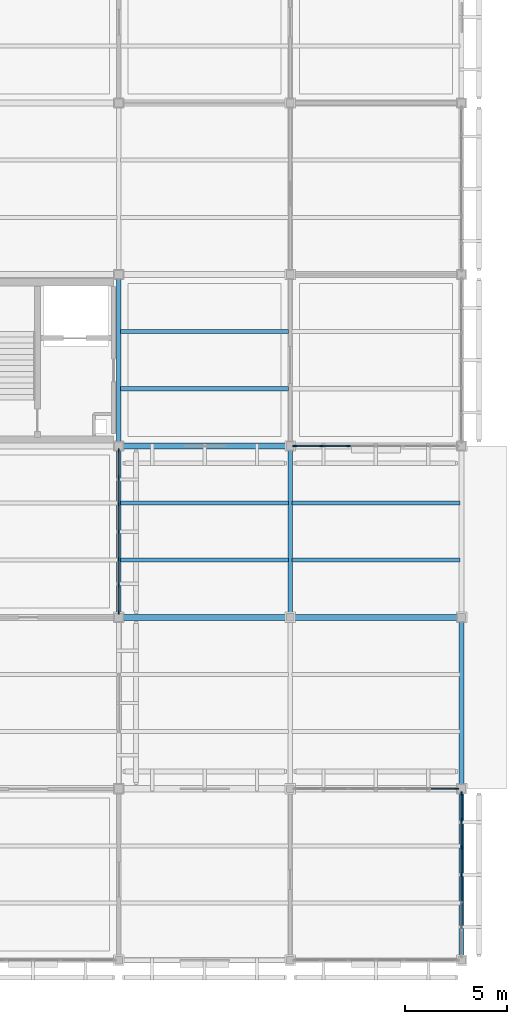
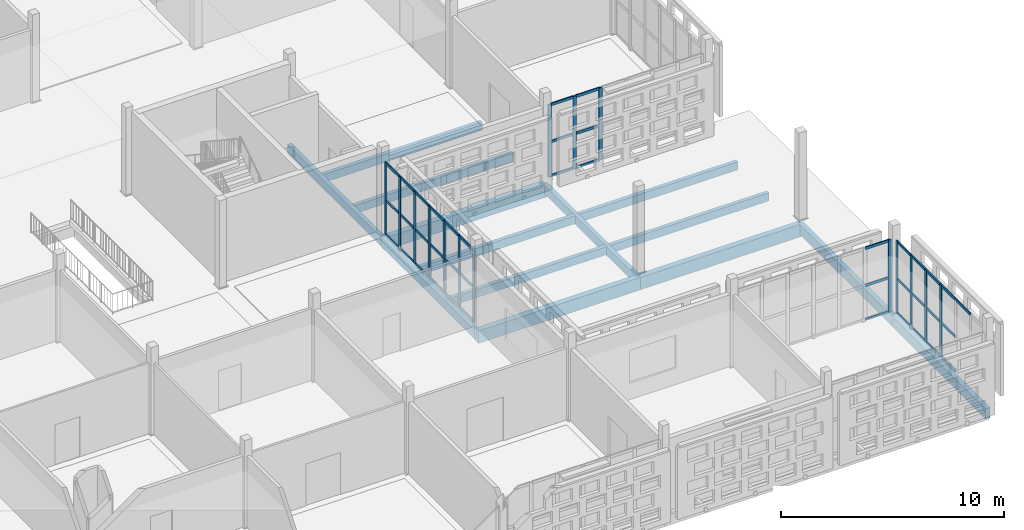
# One storey, part 69 of 203: 55 members, 14 beams, 4 elements without a shape of their own.
"""IFC4 building model written with IfcOpenShell, lengths in metres."""

from ifc_helpers import new_model, si_unit, direction, frame, origin, origin_2d, place, context, subcontext, project, spatial, rectangle, extrude, material, layer, layer_set, material_profile, profile_set, type_object, element, aggregate, save


model = new_model("IFC4")

# Units and contexts
model_context = context("Model", 3, precision=1e-05, world=origin(), true_north=direction((0.0, 1.0)))
body_context = subcontext(model_context, "Body", "Model", "MODEL_VIEW")
ifc_project = project(units=[si_unit("LENGTHUNIT", "METRE"), si_unit("AREAUNIT", "SQUARE_METRE"), si_unit("VOLUMEUNIT", "CUBIC_METRE"), si_unit("PLANEANGLEUNIT", "RADIAN"), si_unit("MASSUNIT", "GRAM", prefix="KILO")], contexts=[model_context])

# Site, building, storey
site_placement = place(None, origin())
site = spatial("IfcSite", under=ifc_project, at=site_placement, CompositionType="ELEMENT")
building_placement = place(site_placement, origin())
building = spatial("IfcBuilding", under=site, at=building_placement, Name="Varnapada Polytechnic", CompositionType="ELEMENT")
storey_placement = place(building_placement, frame((0.0, 0.0, 4.800048828125)))
storey = spatial("IfcBuildingStorey", under=building, at=storey_placement, Name="L01", CompositionType="ELEMENT", Elevation=4.800048828125)

# Beams
ifc_material_1 = material(Name="Glulam GL32h", Category="wood")
ifc_material_profile_1 = material_profile(ifc_material_1, rectangle(XDim=0.199951171875, YDim=0.43994140625, at=origin_2d()), Name="GL 200x440")
ifc_profile_set_1 = profile_set([ifc_material_profile_1], Name="Glulam GL32h")
beam_type_1 = type_object("IfcBeamType", Name="Heavy laboratory glulam joist GJ-03 (GL 200x440)", PredefinedType="JOIST", material=ifc_profile_set_1)
for number, where, z_axis, x_axis, name in (
    (1, (159.679931640625, 19.60009765625, -0.489990234375), (1.0, 0.0, 0.0), (0.0, 1.0, 0.0), "L01 floor joist 20/3.1"),
    (2, (159.679931640625, 22.39990234375, -0.489990234375), (1.0, 0.0, 0.0), (0.0, 1.0, 0.0), "L01 floor joist 20/3.2"),
    (3, (159.679931640625, 28.0, -0.469970703125), (1.0, 0.0, 0.0), (0.0, 1.0, 0.0), "L01 floor joist 20/4.1"),
    (4, (159.679931640625, 30.800048828125, -0.469970703125), (1.0, 0.0, 0.0), (0.0, 1.0, 0.0), "L01 floor joist 20/4.2"),
    (5, (168.080078125, 19.60009765625, -0.489990234375), (1.0, 0.0, 0.0), (0.0, 1.0, 0.0), "L01 floor joist 21/3.1"),
    (6, (168.080078125, 22.39990234375, -0.489990234375), (1.0, 0.0, 0.0), (0.0, 1.0, 0.0), "L01 floor joist 21/3.2"),
):
    element("IfcBeam", number, at=place(storey_placement, frame(where, z_axis=z_axis, x_axis=x_axis)), inside=storey, type_object=beam_type_1, Name=name, PredefinedType="JOIST", context=body_context, shape_type="SweptSolid", body=[
        extrude(rectangle(XDim=0.199951171875, YDim=0.43994140625, at=origin_2d()), origin(), (0.0, 0.0, 1.0), 8.239990234375),
    ])

# Curtain wall, members
ifc_material_2 = material(Name="Double low-E laminated glass", Category="glass")
ifc_layer = layer(ifc_material_2, 0.179931640625)
ifc_layer_set = layer_set([ifc_layer], Name="Double low-E laminated glass")
curtain_wall_type = type_object("IfcCurtainWallType", Name="Curtain Wall CW-04", PredefinedType="NOTDEFINED", material=ifc_layer_set)
curtain_wall_1_placement = place(storey_placement, origin())
curtain_wall_1 = element("IfcCurtainWall", 7, at=curtain_wall_1_placement, inside=storey, type_object=curtain_wall_type, Name="L01 unitised curtain wall CW-04 (110)", PredefinedType="NOTDEFINED")
ifc_material_3 = material(Name="Anodised aluminium", Category="aluminium")
ifc_material_profile_2 = material_profile(ifc_material_3, rectangle(XDim=0.06494140625, YDim=0.179931640625, at=origin_2d()), Name="ALU M65x180")
ifc_profile_set_2 = profile_set([ifc_material_profile_2], Name="Anodised aluminium")
member_type_1 = type_object("IfcMemberType", Name="Mullion M-02", PredefinedType="MULLION", material=ifc_profile_set_2)
member_1_placement = place(storey_placement, frame((159.60009765625, 24.967529296875, 0.0), z_axis=(0.0, 0.0, 1.0), x_axis=(1.0, 0.0, 0.0)))
member_1 = element("IfcMember", 8, at=member_1_placement, type_object=member_type_1, Name="CW-04 mullion 1", PredefinedType="MULLION", context=body_context, shape_type="SweptSolid", body=[
    extrude(rectangle(XDim=0.06494140625, YDim=0.179931640625, at=origin_2d()), origin(), (0.0, 0.0, 1.0), 3.9599609375),
])
member_2_placement = place(storey_placement, frame((159.60009765625, 23.666748046875, 0.0), z_axis=(0.0, 0.0, 1.0), x_axis=(1.0, 0.0, 0.0)))
member_2 = element("IfcMember", 9, at=member_2_placement, type_object=member_type_1, Name="CW-04 mullion 2", PredefinedType="MULLION", context=body_context, shape_type="SweptSolid", body=[
    extrude(rectangle(XDim=0.06494140625, YDim=0.179931640625, at=origin_2d()), origin(), (0.0, 0.0, 1.0), 3.9599609375),
])
member_3_placement = place(storey_placement, frame((159.60009765625, 22.333251953125, 0.0), z_axis=(0.0, 0.0, 1.0), x_axis=(1.0, 0.0, 0.0)))
member_3 = element("IfcMember", 10, at=member_3_placement, type_object=member_type_1, Name="CW-04 mullion 3", PredefinedType="MULLION", context=body_context, shape_type="SweptSolid", body=[
    extrude(rectangle(XDim=0.06494140625, YDim=0.179931640625, at=origin_2d()), origin(), (0.0, 0.0, 1.0), 3.9599609375),
])
member_4_placement = place(storey_placement, frame((159.60009765625, 21.0, 0.0), z_axis=(0.0, 0.0, 1.0), x_axis=(1.0, 0.0, 0.0)))
member_4 = element("IfcMember", 11, at=member_4_placement, type_object=member_type_1, Name="CW-04 mullion 4", PredefinedType="MULLION", context=body_context, shape_type="SweptSolid", body=[
    extrude(rectangle(XDim=0.06494140625, YDim=0.179931640625, at=origin_2d()), origin(), (0.0, 0.0, 1.0), 3.9599609375),
])
member_5_placement = place(storey_placement, frame((159.60009765625, 19.666748046875, 0.0), z_axis=(0.0, 0.0, 1.0), x_axis=(1.0, 0.0, 0.0)))
member_5 = element("IfcMember", 12, at=member_5_placement, type_object=member_type_1, Name="CW-04 mullion 5", PredefinedType="MULLION", context=body_context, shape_type="SweptSolid", body=[
    extrude(rectangle(XDim=0.06494140625, YDim=0.179931640625, at=origin_2d()), origin(), (0.0, 0.0, 1.0), 3.9599609375),
])
member_6_placement = place(storey_placement, frame((159.60009765625, 18.333251953125, 0.0), z_axis=(0.0, 0.0, 1.0), x_axis=(1.0, 0.0, 0.0)))
member_6 = element("IfcMember", 13, at=member_6_placement, type_object=member_type_1, Name="CW-04 mullion 6", PredefinedType="MULLION", context=body_context, shape_type="SweptSolid", body=[
    extrude(rectangle(XDim=0.06494140625, YDim=0.179931640625, at=origin_2d()), origin(), (0.0, 0.0, 1.0), 3.9599609375),
])
member_7_placement = place(storey_placement, frame((159.60009765625, 17.032470703125, 0.0), z_axis=(0.0, 0.0, 1.0), x_axis=(1.0, 0.0, 0.0)))
member_7 = element("IfcMember", 14, at=member_7_placement, type_object=member_type_1, Name="CW-04 mullion 7", PredefinedType="MULLION", context=body_context, shape_type="SweptSolid", body=[
    extrude(rectangle(XDim=0.06494140625, YDim=0.179931640625, at=origin_2d()), origin(), (0.0, 0.0, 1.0), 3.9599609375),
])

# Curtain wall, member
curtain_wall_2_placement = place(storey_placement, origin())
curtain_wall_2 = element("IfcCurtainWall", 15, at=curtain_wall_2_placement, inside=storey, type_object=curtain_wall_type, Name="L01 unitised curtain wall CW-04 (116)", PredefinedType="NOTDEFINED")
member_8_placement = place(storey_placement, frame((176.16748046875, 8.39990234375, 0.0), z_axis=(0.0, 0.0, 1.0), x_axis=(0.0, 1.0, 0.0)))
member_8 = element("IfcMember", 16, at=member_8_placement, type_object=member_type_1, Name="CW-04 mullion 7", PredefinedType="MULLION", context=body_context, shape_type="SweptSolid", body=[
    extrude(rectangle(XDim=0.06494140625, YDim=0.179931640625, at=origin_2d()), origin(), (0.0, 0.0, 1.0), 3.9599609375),
])

# Curtain wall, members
curtain_wall_3_placement = place(storey_placement, origin())
curtain_wall_3 = element("IfcCurtainWall", 17, at=curtain_wall_3_placement, inside=storey, type_object=curtain_wall_type, Name="L01 unitised curtain wall CW-04 (117)", PredefinedType="NOTDEFINED")
member_9_placement = place(storey_placement, frame((176.39990234375, 8.16748046875, 0.0), z_axis=(0.0, 0.0, 1.0), x_axis=(1.0, 0.0, 0.0)))
member_9 = element("IfcMember", 18, at=member_9_placement, type_object=member_type_1, Name="CW-04 mullion 1", PredefinedType="MULLION", context=body_context, shape_type="SweptSolid", body=[
    extrude(rectangle(XDim=0.06494140625, YDim=0.179931640625, at=origin_2d()), origin(), (0.0, 0.0, 1.0), 3.9599609375),
])
member_10_placement = place(storey_placement, frame((176.39990234375, 6.86328125, 0.0), z_axis=(0.0, 0.0, 1.0), x_axis=(1.0, 0.0, 0.0)))
member_10 = element("IfcMember", 19, at=member_10_placement, type_object=member_type_1, Name="CW-04 mullion 2", PredefinedType="MULLION", context=body_context, shape_type="SweptSolid", body=[
    extrude(rectangle(XDim=0.06494140625, YDim=0.179931640625, at=origin_2d()), origin(), (0.0, 0.0, 1.0), 3.9599609375),
])
member_11_placement = place(storey_placement, frame((176.39990234375, 5.526611328125, 0.0), z_axis=(0.0, 0.0, 1.0), x_axis=(1.0, 0.0, 0.0)))
member_11 = element("IfcMember", 20, at=member_11_placement, type_object=member_type_1, Name="CW-04 mullion 3", PredefinedType="MULLION", context=body_context, shape_type="SweptSolid", body=[
    extrude(rectangle(XDim=0.06494140625, YDim=0.179931640625, at=origin_2d()), origin(), (0.0, 0.0, 1.0), 3.9599609375),
])
member_12_placement = place(storey_placement, frame((176.39990234375, 4.18994140625, 0.0), z_axis=(0.0, 0.0, 1.0), x_axis=(1.0, 0.0, 0.0)))
member_12 = element("IfcMember", 21, at=member_12_placement, type_object=member_type_1, Name="CW-04 mullion 4", PredefinedType="MULLION", context=body_context, shape_type="SweptSolid", body=[
    extrude(rectangle(XDim=0.06494140625, YDim=0.179931640625, at=origin_2d()), origin(), (0.0, 0.0, 1.0), 3.9599609375),
])

curtain_wall_4_placement = place(storey_placement, origin())
curtain_wall_4 = element("IfcCurtainWall", 22, at=curtain_wall_4_placement, inside=storey, type_object=curtain_wall_type, Name="L01 unitised curtain wall CW-04 (118)", PredefinedType="NOTDEFINED")
member_13_placement = place(storey_placement, frame((170.860107421875, 25.199951171875, 0.0), z_axis=(0.0, 0.0, 1.0), x_axis=(0.0, -1.0, 0.0)))
member_13 = element("IfcMember", 23, at=member_13_placement, type_object=member_type_1, Name="CW-04 mullion 5", PredefinedType="MULLION", context=body_context, shape_type="SweptSolid", body=[
    extrude(rectangle(XDim=0.06494140625, YDim=0.179931640625, at=origin_2d()), origin(), (0.0, 0.0, 1.0), 3.9599609375),
])
member_14_placement = place(storey_placement, frame((169.52490234375, 25.199951171875, 0.0), z_axis=(0.0, 0.0, 1.0), x_axis=(0.0, -1.0, 0.0)))
member_14 = element("IfcMember", 24, at=member_14_placement, type_object=member_type_1, Name="CW-04 mullion 6", PredefinedType="MULLION", context=body_context, shape_type="SweptSolid", body=[
    extrude(rectangle(XDim=0.06494140625, YDim=0.179931640625, at=origin_2d()), origin(), (0.0, 0.0, 1.0), 3.9599609375),
])
member_15_placement = place(storey_placement, frame((168.222412109375, 25.199951171875, 0.0), z_axis=(0.0, 0.0, 1.0), x_axis=(0.0, -1.0, 0.0)))
member_15 = element("IfcMember", 25, at=member_15_placement, type_object=member_type_1, Name="CW-04 mullion 7", PredefinedType="MULLION", context=body_context, shape_type="SweptSolid", body=[
    extrude(rectangle(XDim=0.06494140625, YDim=0.179931640625, at=origin_2d()), origin(), (0.0, 0.0, 1.0), 3.9599609375),
])

# Beams
ifc_material_profile_3 = material_profile(ifc_material_1, rectangle(XDim=0.239990234375, YDim=0.56005859375, at=origin_2d()), Name="GL 240x560")
ifc_profile_set_3 = profile_set([ifc_material_profile_3], Name="Glulam GL32h")
beam_type_2 = type_object("IfcBeamType", Name="Perimeter glulam spandrel beam SP-02 (GL 240x560)", PredefinedType="SPANDREL", material=ifc_profile_set_3)
beam_1_placement = place(storey_placement, frame((176.39990234375, 0.0, -0.550048828125), z_axis=(0.0, 1.0, 0.0), x_axis=(-1.0, 0.0, 0.0)))
element("IfcBeam", 26, at=beam_1_placement, inside=storey, type_object=beam_type_2, Name="L01 beam Y 1-2 at X22", PredefinedType="SPANDREL", context=body_context, shape_type="SweptSolid", body=[
    extrude(rectangle(XDim=0.239990234375, YDim=0.56005859375, at=origin_2d()), origin(), (0.0, 0.0, 1.0), 8.39990234375),
])
beam_2_placement = place(storey_placement, frame((176.39990234375, 8.39990234375, -0.550048828125), z_axis=(0.0, 1.0, 0.0), x_axis=(-1.0, 0.0, 0.0)))
element("IfcBeam", 27, at=beam_2_placement, inside=storey, type_object=beam_type_2, Name="L01 beam Y 2-3 at X22", PredefinedType="SPANDREL", context=body_context, shape_type="SweptSolid", body=[
    extrude(rectangle(XDim=0.239990234375, YDim=0.56005859375, at=origin_2d()), origin(), (0.0, 0.0, 1.0), 8.400146484375),
])

# Member
ifc_material_profile_4 = material_profile(ifc_material_3, rectangle(XDim=0.06494140625, YDim=0.139892578125, at=origin_2d()), Name="ALU T65x140")
ifc_profile_set_4 = profile_set([ifc_material_profile_4], Name="Anodised aluminium")
member_type_2 = type_object("IfcMemberType", Name="Transom T-02", PredefinedType="USERDEFINED", material=ifc_profile_set_4)
member_16_placement = place(storey_placement, frame((159.60009765625, 24.93505859375, 0.032470703125), z_axis=(0.0, -1.0, 0.0), x_axis=(1.0, 0.0, 0.0)))
member_16 = element("IfcMember", 28, at=member_16_placement, type_object=member_type_2, Name="CW-04 transom 1.1", ObjectType="TRANSOM", PredefinedType="USERDEFINED", context=body_context, shape_type="SweptSolid", body=[
    extrude(rectangle(XDim=0.06494140625, YDim=0.139892578125, at=origin_2d()), origin(), (0.0, 0.0, 1.0), 1.23583984375),
])

member_17_placement = place(storey_placement, frame((159.60009765625, 24.93505859375, 1.900634765625), z_axis=(0.0, -1.0, 0.0), x_axis=(1.0, 0.0, 0.0)))
member_17 = element("IfcMember", 29, at=member_17_placement, type_object=member_type_2, Name="CW-04 transom 1.2", ObjectType="TRANSOM", PredefinedType="USERDEFINED", context=body_context, shape_type="SweptSolid", body=[
    extrude(rectangle(XDim=0.06494140625, YDim=0.139892578125, at=origin_2d()), origin(), (0.0, 0.0, 1.0), 1.23583984375),
])

member_18_placement = place(storey_placement, frame((159.60009765625, 24.93505859375, 3.927490234375), z_axis=(0.0, -1.0, 0.0), x_axis=(1.0, 0.0, 0.0)))
member_18 = element("IfcMember", 30, at=member_18_placement, type_object=member_type_2, Name="CW-04 transom 1.3", ObjectType="TRANSOM", PredefinedType="USERDEFINED", context=body_context, shape_type="SweptSolid", body=[
    extrude(rectangle(XDim=0.06494140625, YDim=0.139892578125, at=origin_2d()), origin(), (0.0, 0.0, 1.0), 1.23583984375),
])

member_19_placement = place(storey_placement, frame((159.60009765625, 23.63427734375, 0.032470703125), z_axis=(0.0, -1.0, 0.0), x_axis=(1.0, 0.0, 0.0)))
member_19 = element("IfcMember", 31, at=member_19_placement, type_object=member_type_2, Name="CW-04 transom 2.1", ObjectType="TRANSOM", PredefinedType="USERDEFINED", context=body_context, shape_type="SweptSolid", body=[
    extrude(rectangle(XDim=0.06494140625, YDim=0.139892578125, at=origin_2d()), origin(), (0.0, 0.0, 1.0), 1.2685546875),
])

member_20_placement = place(storey_placement, frame((159.60009765625, 23.63427734375, 1.900634765625), z_axis=(0.0, -1.0, 0.0), x_axis=(1.0, 0.0, 0.0)))
member_20 = element("IfcMember", 32, at=member_20_placement, type_object=member_type_2, Name="CW-04 transom 2.2", ObjectType="TRANSOM", PredefinedType="USERDEFINED", context=body_context, shape_type="SweptSolid", body=[
    extrude(rectangle(XDim=0.06494140625, YDim=0.139892578125, at=origin_2d()), origin(), (0.0, 0.0, 1.0), 1.2685546875),
])

member_21_placement = place(storey_placement, frame((159.60009765625, 23.63427734375, 3.927490234375), z_axis=(0.0, -1.0, 0.0), x_axis=(1.0, 0.0, 0.0)))
member_21 = element("IfcMember", 33, at=member_21_placement, type_object=member_type_2, Name="CW-04 transom 2.3", ObjectType="TRANSOM", PredefinedType="USERDEFINED", context=body_context, shape_type="SweptSolid", body=[
    extrude(rectangle(XDim=0.06494140625, YDim=0.139892578125, at=origin_2d()), origin(), (0.0, 0.0, 1.0), 1.2685546875),
])

member_22_placement = place(storey_placement, frame((159.60009765625, 22.30078125, 0.032470703125), z_axis=(0.0, -1.0, 0.0), x_axis=(1.0, 0.0, 0.0)))
member_22 = element("IfcMember", 34, at=member_22_placement, type_object=member_type_2, Name="CW-04 transom 3.1", ObjectType="TRANSOM", PredefinedType="USERDEFINED", context=body_context, shape_type="SweptSolid", body=[
    extrude(rectangle(XDim=0.06494140625, YDim=0.139892578125, at=origin_2d()), origin(), (0.0, 0.0, 1.0), 1.268310546875),
])

member_23_placement = place(storey_placement, frame((159.60009765625, 22.30078125, 1.900634765625), z_axis=(0.0, -1.0, 0.0), x_axis=(1.0, 0.0, 0.0)))
member_23 = element("IfcMember", 35, at=member_23_placement, type_object=member_type_2, Name="CW-04 transom 3.2", ObjectType="TRANSOM", PredefinedType="USERDEFINED", context=body_context, shape_type="SweptSolid", body=[
    extrude(rectangle(XDim=0.06494140625, YDim=0.139892578125, at=origin_2d()), origin(), (0.0, 0.0, 1.0), 1.268310546875),
])

member_24_placement = place(storey_placement, frame((159.60009765625, 22.30078125, 3.927490234375), z_axis=(0.0, -1.0, 0.0), x_axis=(1.0, 0.0, 0.0)))
member_24 = element("IfcMember", 36, at=member_24_placement, type_object=member_type_2, Name="CW-04 transom 3.3", ObjectType="TRANSOM", PredefinedType="USERDEFINED", context=body_context, shape_type="SweptSolid", body=[
    extrude(rectangle(XDim=0.06494140625, YDim=0.139892578125, at=origin_2d()), origin(), (0.0, 0.0, 1.0), 1.268310546875),
])

member_25_placement = place(storey_placement, frame((159.60009765625, 20.967529296875, 0.032470703125), z_axis=(0.0, -1.0, 0.0), x_axis=(1.0, 0.0, 0.0)))
member_25 = element("IfcMember", 37, at=member_25_placement, type_object=member_type_2, Name="CW-04 transom 4.1", ObjectType="TRANSOM", PredefinedType="USERDEFINED", context=body_context, shape_type="SweptSolid", body=[
    extrude(rectangle(XDim=0.06494140625, YDim=0.139892578125, at=origin_2d()), origin(), (0.0, 0.0, 1.0), 1.268310546875),
])

member_26_placement = place(storey_placement, frame((159.60009765625, 20.967529296875, 1.900634765625), z_axis=(0.0, -1.0, 0.0), x_axis=(1.0, 0.0, 0.0)))
member_26 = element("IfcMember", 38, at=member_26_placement, type_object=member_type_2, Name="CW-04 transom 4.2", ObjectType="TRANSOM", PredefinedType="USERDEFINED", context=body_context, shape_type="SweptSolid", body=[
    extrude(rectangle(XDim=0.06494140625, YDim=0.139892578125, at=origin_2d()), origin(), (0.0, 0.0, 1.0), 1.268310546875),
])

member_27_placement = place(storey_placement, frame((159.60009765625, 20.967529296875, 3.927490234375), z_axis=(0.0, -1.0, 0.0), x_axis=(1.0, 0.0, 0.0)))
member_27 = element("IfcMember", 39, at=member_27_placement, type_object=member_type_2, Name="CW-04 transom 4.3", ObjectType="TRANSOM", PredefinedType="USERDEFINED", context=body_context, shape_type="SweptSolid", body=[
    extrude(rectangle(XDim=0.06494140625, YDim=0.139892578125, at=origin_2d()), origin(), (0.0, 0.0, 1.0), 1.268310546875),
])

member_28_placement = place(storey_placement, frame((159.60009765625, 19.63427734375, 0.032470703125), z_axis=(0.0, -1.0, 0.0), x_axis=(1.0, 0.0, 0.0)))
member_28 = element("IfcMember", 40, at=member_28_placement, type_object=member_type_2, Name="CW-04 transom 5.1", ObjectType="TRANSOM", PredefinedType="USERDEFINED", context=body_context, shape_type="SweptSolid", body=[
    extrude(rectangle(XDim=0.06494140625, YDim=0.139892578125, at=origin_2d()), origin(), (0.0, 0.0, 1.0), 1.2685546875),
])

member_29_placement = place(storey_placement, frame((159.60009765625, 19.63427734375, 1.900634765625), z_axis=(0.0, -1.0, 0.0), x_axis=(1.0, 0.0, 0.0)))
member_29 = element("IfcMember", 41, at=member_29_placement, type_object=member_type_2, Name="CW-04 transom 5.2", ObjectType="TRANSOM", PredefinedType="USERDEFINED", context=body_context, shape_type="SweptSolid", body=[
    extrude(rectangle(XDim=0.06494140625, YDim=0.139892578125, at=origin_2d()), origin(), (0.0, 0.0, 1.0), 1.2685546875),
])

member_30_placement = place(storey_placement, frame((159.60009765625, 19.63427734375, 3.927490234375), z_axis=(0.0, -1.0, 0.0), x_axis=(1.0, 0.0, 0.0)))
member_30 = element("IfcMember", 42, at=member_30_placement, type_object=member_type_2, Name="CW-04 transom 5.3", ObjectType="TRANSOM", PredefinedType="USERDEFINED", context=body_context, shape_type="SweptSolid", body=[
    extrude(rectangle(XDim=0.06494140625, YDim=0.139892578125, at=origin_2d()), origin(), (0.0, 0.0, 1.0), 1.2685546875),
])

member_31_placement = place(storey_placement, frame((159.60009765625, 18.30078125, 0.032470703125), z_axis=(0.0, -1.0, 0.0), x_axis=(1.0, 0.0, 0.0)))
member_31 = element("IfcMember", 43, at=member_31_placement, type_object=member_type_2, Name="CW-04 transom 6.1", ObjectType="TRANSOM", PredefinedType="USERDEFINED", context=body_context, shape_type="SweptSolid", body=[
    extrude(rectangle(XDim=0.06494140625, YDim=0.139892578125, at=origin_2d()), origin(), (0.0, 0.0, 1.0), 1.23583984375),
])

member_32_placement = place(storey_placement, frame((159.60009765625, 18.30078125, 1.900634765625), z_axis=(0.0, -1.0, 0.0), x_axis=(1.0, 0.0, 0.0)))
member_32 = element("IfcMember", 44, at=member_32_placement, type_object=member_type_2, Name="CW-04 transom 6.2", ObjectType="TRANSOM", PredefinedType="USERDEFINED", context=body_context, shape_type="SweptSolid", body=[
    extrude(rectangle(XDim=0.06494140625, YDim=0.139892578125, at=origin_2d()), origin(), (0.0, 0.0, 1.0), 1.23583984375),
])

member_33_placement = place(storey_placement, frame((159.60009765625, 18.30078125, 3.927490234375), z_axis=(0.0, -1.0, 0.0), x_axis=(1.0, 0.0, 0.0)))
member_33 = element("IfcMember", 45, at=member_33_placement, type_object=member_type_2, Name="CW-04 transom 6.3", ObjectType="TRANSOM", PredefinedType="USERDEFINED", context=body_context, shape_type="SweptSolid", body=[
    extrude(rectangle(XDim=0.06494140625, YDim=0.139892578125, at=origin_2d()), origin(), (0.0, 0.0, 1.0), 1.23583984375),
])

aggregate(curtain_wall_1, [member_1, member_2, member_3, member_4, member_5, member_6, member_7, member_16, member_17, member_18, member_19, member_20, member_21, member_22, member_23, member_24, member_25, member_26, member_27, member_28, member_29, member_30, member_31, member_32, member_33])

member_34_placement = place(storey_placement, frame((174.8974609375, 8.39990234375, 0.032470703125), z_axis=(1.0, 0.0, 0.0), x_axis=(0.0, 1.0, 0.0)))
member_34 = element("IfcMember", 46, at=member_34_placement, type_object=member_type_2, Name="CW-04 transom 6.1", ObjectType="TRANSOM", PredefinedType="USERDEFINED", context=body_context, shape_type="SweptSolid", body=[
    extrude(rectangle(XDim=0.06494140625, YDim=0.139892578125, at=origin_2d()), origin(), (0.0, 0.0, 1.0), 1.237548828125),
])

member_35_placement = place(storey_placement, frame((174.8974609375, 8.39990234375, 1.900634765625), z_axis=(1.0, 0.0, 0.0), x_axis=(0.0, 1.0, 0.0)))
member_35 = element("IfcMember", 47, at=member_35_placement, type_object=member_type_2, Name="CW-04 transom 6.2", ObjectType="TRANSOM", PredefinedType="USERDEFINED", context=body_context, shape_type="SweptSolid", body=[
    extrude(rectangle(XDim=0.06494140625, YDim=0.139892578125, at=origin_2d()), origin(), (0.0, 0.0, 1.0), 1.237548828125),
])

member_36_placement = place(storey_placement, frame((174.8974609375, 8.39990234375, 3.927490234375), z_axis=(1.0, 0.0, 0.0), x_axis=(0.0, 1.0, 0.0)))
member_36 = element("IfcMember", 48, at=member_36_placement, type_object=member_type_2, Name="CW-04 transom 6.3", ObjectType="TRANSOM", PredefinedType="USERDEFINED", context=body_context, shape_type="SweptSolid", body=[
    extrude(rectangle(XDim=0.06494140625, YDim=0.139892578125, at=origin_2d()), origin(), (0.0, 0.0, 1.0), 1.237548828125),
])

aggregate(curtain_wall_2, [member_8, member_34, member_35, member_36])

member_37_placement = place(storey_placement, frame((176.39990234375, 8.135009765625, 0.032470703125), z_axis=(0.0, -1.0, 0.0), x_axis=(1.0, 0.0, 0.0)))
member_37 = element("IfcMember", 49, at=member_37_placement, type_object=member_type_2, Name="CW-04 transom 1.1", ObjectType="TRANSOM", PredefinedType="USERDEFINED", context=body_context, shape_type="SweptSolid", body=[
    extrude(rectangle(XDim=0.06494140625, YDim=0.139892578125, at=origin_2d()), origin(), (0.0, 0.0, 1.0), 1.2392578125),
])

member_38_placement = place(storey_placement, frame((176.39990234375, 8.135009765625, 1.900634765625), z_axis=(0.0, -1.0, 0.0), x_axis=(1.0, 0.0, 0.0)))
member_38 = element("IfcMember", 50, at=member_38_placement, type_object=member_type_2, Name="CW-04 transom 1.2", ObjectType="TRANSOM", PredefinedType="USERDEFINED", context=body_context, shape_type="SweptSolid", body=[
    extrude(rectangle(XDim=0.06494140625, YDim=0.139892578125, at=origin_2d()), origin(), (0.0, 0.0, 1.0), 1.2392578125),
])

member_39_placement = place(storey_placement, frame((176.39990234375, 8.135009765625, 3.927490234375), z_axis=(0.0, -1.0, 0.0), x_axis=(1.0, 0.0, 0.0)))
member_39 = element("IfcMember", 51, at=member_39_placement, type_object=member_type_2, Name="CW-04 transom 1.3", ObjectType="TRANSOM", PredefinedType="USERDEFINED", context=body_context, shape_type="SweptSolid", body=[
    extrude(rectangle(XDim=0.06494140625, YDim=0.139892578125, at=origin_2d()), origin(), (0.0, 0.0, 1.0), 1.2392578125),
])

member_40_placement = place(storey_placement, frame((176.39990234375, 6.830810546875, 0.032470703125), z_axis=(0.0, -1.0, 0.0), x_axis=(1.0, 0.0, 0.0)))
member_40 = element("IfcMember", 52, at=member_40_placement, type_object=member_type_2, Name="CW-04 transom 2.1", ObjectType="TRANSOM", PredefinedType="USERDEFINED", context=body_context, shape_type="SweptSolid", body=[
    extrude(rectangle(XDim=0.06494140625, YDim=0.139892578125, at=origin_2d()), origin(), (0.0, 0.0, 1.0), 1.271728515625),
])

member_41_placement = place(storey_placement, frame((176.39990234375, 6.830810546875, 1.900634765625), z_axis=(0.0, -1.0, 0.0), x_axis=(1.0, 0.0, 0.0)))
member_41 = element("IfcMember", 53, at=member_41_placement, type_object=member_type_2, Name="CW-04 transom 2.2", ObjectType="TRANSOM", PredefinedType="USERDEFINED", context=body_context, shape_type="SweptSolid", body=[
    extrude(rectangle(XDim=0.06494140625, YDim=0.139892578125, at=origin_2d()), origin(), (0.0, 0.0, 1.0), 1.271728515625),
])

member_42_placement = place(storey_placement, frame((176.39990234375, 6.830810546875, 3.927490234375), z_axis=(0.0, -1.0, 0.0), x_axis=(1.0, 0.0, 0.0)))
member_42 = element("IfcMember", 54, at=member_42_placement, type_object=member_type_2, Name="CW-04 transom 2.3", ObjectType="TRANSOM", PredefinedType="USERDEFINED", context=body_context, shape_type="SweptSolid", body=[
    extrude(rectangle(XDim=0.06494140625, YDim=0.139892578125, at=origin_2d()), origin(), (0.0, 0.0, 1.0), 1.271728515625),
])

member_43_placement = place(storey_placement, frame((176.39990234375, 5.494140625, 0.032470703125), z_axis=(0.0, -1.0, 0.0), x_axis=(1.0, 0.0, 0.0)))
member_43 = element("IfcMember", 55, at=member_43_placement, type_object=member_type_2, Name="CW-04 transom 3.1", ObjectType="TRANSOM", PredefinedType="USERDEFINED", context=body_context, shape_type="SweptSolid", body=[
    extrude(rectangle(XDim=0.06494140625, YDim=0.139892578125, at=origin_2d()), origin(), (0.0, 0.0, 1.0), 1.271728515625),
])

member_44_placement = place(storey_placement, frame((176.39990234375, 5.494140625, 1.900634765625), z_axis=(0.0, -1.0, 0.0), x_axis=(1.0, 0.0, 0.0)))
member_44 = element("IfcMember", 56, at=member_44_placement, type_object=member_type_2, Name="CW-04 transom 3.2", ObjectType="TRANSOM", PredefinedType="USERDEFINED", context=body_context, shape_type="SweptSolid", body=[
    extrude(rectangle(XDim=0.06494140625, YDim=0.139892578125, at=origin_2d()), origin(), (0.0, 0.0, 1.0), 1.271728515625),
])

member_45_placement = place(storey_placement, frame((176.39990234375, 5.494140625, 3.927490234375), z_axis=(0.0, -1.0, 0.0), x_axis=(1.0, 0.0, 0.0)))
member_45 = element("IfcMember", 57, at=member_45_placement, type_object=member_type_2, Name="CW-04 transom 3.3", ObjectType="TRANSOM", PredefinedType="USERDEFINED", context=body_context, shape_type="SweptSolid", body=[
    extrude(rectangle(XDim=0.06494140625, YDim=0.139892578125, at=origin_2d()), origin(), (0.0, 0.0, 1.0), 1.271728515625),
])

member_46_placement = place(storey_placement, frame((176.39990234375, 4.157470703125, 0.032470703125), z_axis=(0.0, -1.0, 0.0), x_axis=(1.0, 0.0, 0.0)))
member_46 = element("IfcMember", 58, at=member_46_placement, type_object=member_type_2, Name="CW-04 transom 4.1", ObjectType="TRANSOM", PredefinedType="USERDEFINED", context=body_context, shape_type="SweptSolid", body=[
    extrude(rectangle(XDim=0.06494140625, YDim=0.139892578125, at=origin_2d()), origin(), (0.0, 0.0, 1.0), 1.271728515625),
])

member_47_placement = place(storey_placement, frame((176.39990234375, 4.157470703125, 1.900634765625), z_axis=(0.0, -1.0, 0.0), x_axis=(1.0, 0.0, 0.0)))
member_47 = element("IfcMember", 59, at=member_47_placement, type_object=member_type_2, Name="CW-04 transom 4.2", ObjectType="TRANSOM", PredefinedType="USERDEFINED", context=body_context, shape_type="SweptSolid", body=[
    extrude(rectangle(XDim=0.06494140625, YDim=0.139892578125, at=origin_2d()), origin(), (0.0, 0.0, 1.0), 1.271728515625),
])

member_48_placement = place(storey_placement, frame((176.39990234375, 4.157470703125, 3.927490234375), z_axis=(0.0, -1.0, 0.0), x_axis=(1.0, 0.0, 0.0)))
member_48 = element("IfcMember", 60, at=member_48_placement, type_object=member_type_2, Name="CW-04 transom 4.3", ObjectType="TRANSOM", PredefinedType="USERDEFINED", context=body_context, shape_type="SweptSolid", body=[
    extrude(rectangle(XDim=0.06494140625, YDim=0.139892578125, at=origin_2d()), origin(), (0.0, 0.0, 1.0), 1.271728515625),
])

member_49_placement = place(storey_placement, frame((176.39990234375, 2.82080078125, 3.927490234375), z_axis=(0.0, -1.0, 0.0), x_axis=(1.0, 0.0, 0.0)))
member_49 = element("IfcMember", 61, at=member_49_placement, type_object=member_type_2, Name="CW-04 transom 5.3", ObjectType="TRANSOM", PredefinedType="USERDEFINED", context=body_context, shape_type="SweptSolid", body=[
    extrude(rectangle(XDim=0.06494140625, YDim=0.139892578125, at=origin_2d()), origin(), (0.0, 0.0, 1.0), 1.271728515625),
])

aggregate(curtain_wall_3, [member_9, member_10, member_11, member_12, member_37, member_38, member_39, member_40, member_41, member_42, member_43, member_44, member_45, member_46, member_47, member_48, member_49])

member_50_placement = place(storey_placement, frame((170.827392578125, 25.199951171875, 0.032470703125), z_axis=(-1.0, 0.0, 0.0), x_axis=(0.0, -1.0, 0.0)))
member_50 = element("IfcMember", 62, at=member_50_placement, type_object=member_type_2, Name="CW-04 transom 5.1", ObjectType="TRANSOM", PredefinedType="USERDEFINED", context=body_context, shape_type="SweptSolid", body=[
    extrude(rectangle(XDim=0.06494140625, YDim=0.139892578125, at=origin_2d()), origin(), (0.0, 0.0, 1.0), 1.269775390625),
])

member_51_placement = place(storey_placement, frame((170.827392578125, 25.199951171875, 1.900634765625), z_axis=(-1.0, 0.0, 0.0), x_axis=(0.0, -1.0, 0.0)))
member_51 = element("IfcMember", 63, at=member_51_placement, type_object=member_type_2, Name="CW-04 transom 5.2", ObjectType="TRANSOM", PredefinedType="USERDEFINED", context=body_context, shape_type="SweptSolid", body=[
    extrude(rectangle(XDim=0.06494140625, YDim=0.139892578125, at=origin_2d()), origin(), (0.0, 0.0, 1.0), 1.269775390625),
])

member_52_placement = place(storey_placement, frame((170.827392578125, 25.199951171875, 3.927490234375), z_axis=(-1.0, 0.0, 0.0), x_axis=(0.0, -1.0, 0.0)))
member_52 = element("IfcMember", 64, at=member_52_placement, type_object=member_type_2, Name="CW-04 transom 5.3", ObjectType="TRANSOM", PredefinedType="USERDEFINED", context=body_context, shape_type="SweptSolid", body=[
    extrude(rectangle(XDim=0.06494140625, YDim=0.139892578125, at=origin_2d()), origin(), (0.0, 0.0, 1.0), 1.269775390625),
])

member_53_placement = place(storey_placement, frame((169.492431640625, 25.199951171875, 0.032470703125), z_axis=(-1.0, 0.0, 0.0), x_axis=(0.0, -1.0, 0.0)))
member_53 = element("IfcMember", 65, at=member_53_placement, type_object=member_type_2, Name="CW-04 transom 6.1", ObjectType="TRANSOM", PredefinedType="USERDEFINED", context=body_context, shape_type="SweptSolid", body=[
    extrude(rectangle(XDim=0.06494140625, YDim=0.139892578125, at=origin_2d()), origin(), (0.0, 0.0, 1.0), 1.237548828125),
])

member_54_placement = place(storey_placement, frame((169.492431640625, 25.199951171875, 1.900634765625), z_axis=(-1.0, 0.0, 0.0), x_axis=(0.0, -1.0, 0.0)))
member_54 = element("IfcMember", 66, at=member_54_placement, type_object=member_type_2, Name="CW-04 transom 6.2", ObjectType="TRANSOM", PredefinedType="USERDEFINED", context=body_context, shape_type="SweptSolid", body=[
    extrude(rectangle(XDim=0.06494140625, YDim=0.139892578125, at=origin_2d()), origin(), (0.0, 0.0, 1.0), 1.237548828125),
])

member_55_placement = place(storey_placement, frame((169.492431640625, 25.199951171875, 3.927490234375), z_axis=(-1.0, 0.0, 0.0), x_axis=(0.0, -1.0, 0.0)))
member_55 = element("IfcMember", 67, at=member_55_placement, type_object=member_type_2, Name="CW-04 transom 6.3", ObjectType="TRANSOM", PredefinedType="USERDEFINED", context=body_context, shape_type="SweptSolid", body=[
    extrude(rectangle(XDim=0.06494140625, YDim=0.139892578125, at=origin_2d()), origin(), (0.0, 0.0, 1.0), 1.237548828125),
])

aggregate(curtain_wall_4, [member_13, member_14, member_15, member_50, member_51, member_52, member_53, member_54, member_55])

# Beams
ifc_material_profile_5 = material_profile(ifc_material_1, rectangle(XDim=0.219970703125, YDim=0.47998046875, at=origin_2d()), Name="GL 220x480")
ifc_profile_set_5 = profile_set([ifc_material_profile_5], Name="Glulam GL32h")
beam_type_3 = type_object("IfcBeamType", Name="Upper floor glulam tie beam GB-11 (GL 220x480)", PredefinedType="BEAM", material=ifc_profile_set_5)
beam_3_placement = place(storey_placement, frame((159.60009765625, 16.800048828125, -0.510009765625), z_axis=(0.0, 1.0, 0.0), x_axis=(-1.0, 0.0, 0.0)))
element("IfcBeam", 68, at=beam_3_placement, inside=storey, type_object=beam_type_3, Name="L01 beam Y 3-4 at X20", PredefinedType="BEAM", context=body_context, shape_type="SweptSolid", body=[
    extrude(rectangle(XDim=0.219970703125, YDim=0.47998046875, at=origin_2d()), origin(), (0.0, 0.0, 1.0), 8.39990234375),
])
beam_4_placement = place(storey_placement, frame((159.60009765625, 25.199951171875, -0.510009765625), z_axis=(0.0, 1.0, 0.0), x_axis=(-1.0, 0.0, 0.0)))
element("IfcBeam", 69, at=beam_4_placement, inside=storey, type_object=beam_type_3, Name="L01 beam Y 4-5 at X20", PredefinedType="BEAM", context=body_context, shape_type="SweptSolid", body=[
    extrude(rectangle(XDim=0.219970703125, YDim=0.47998046875, at=origin_2d()), origin(), (0.0, 0.0, 1.0), 8.400146484375),
])
beam_5_placement = place(storey_placement, frame((168.0, 16.800048828125, -0.510009765625), z_axis=(0.0, 1.0, 0.0), x_axis=(-1.0, 0.0, 0.0)))
element("IfcBeam", 70, at=beam_5_placement, inside=storey, type_object=beam_type_3, Name="L01 beam Y 3-4 at X21", PredefinedType="BEAM", context=body_context, shape_type="SweptSolid", body=[
    extrude(rectangle(XDim=0.219970703125, YDim=0.47998046875, at=origin_2d()), origin(), (0.0, 0.0, 1.0), 8.39990234375),
])
ifc_material_profile_6 = material_profile(ifc_material_1, rectangle(XDim=0.300048828125, YDim=0.679931640625, at=origin_2d()), Name="GL 300x680")
ifc_profile_set_6 = profile_set([ifc_material_profile_6], Name="Glulam GL32h")
beam_type_4 = type_object("IfcBeamType", Name="Wet laboratory glulam girder GG-04 (GL 300x680)", PredefinedType="BEAM", material=ifc_profile_set_6)
for number, where, z_axis, x_axis, name in (
    (71, (159.60009765625, 16.800048828125, -0.610107421875), (1.0, 0.0, 0.0), (0.0, 1.0, 0.0), "L01 beam X 20-21 at Y3"),
    (72, (159.60009765625, 25.199951171875, -0.610107421875), (1.0, 0.0, 0.0), (0.0, 1.0, 0.0), "L01 beam X 20-21 at Y4"),
    (73, (168.0, 16.800048828125, -0.610107421875), (1.0, 0.0, 0.0), (0.0, 1.0, 0.0), "L01 beam X 21-22 at Y3"),
):
    element("IfcBeam", number, at=place(storey_placement, frame(where, z_axis=z_axis, x_axis=x_axis)), inside=storey, type_object=beam_type_4, Name=name, PredefinedType="BEAM", context=body_context, shape_type="SweptSolid", body=[
        extrude(rectangle(XDim=0.300048828125, YDim=0.679931640625, at=origin_2d()), origin(), (0.0, 0.0, 1.0), 8.39990234375),
    ])

save(model, "model.ifc")
